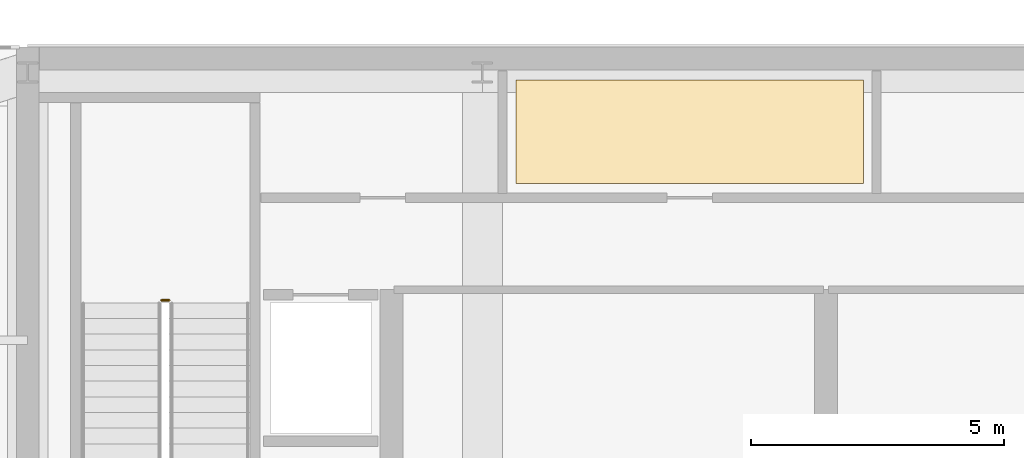
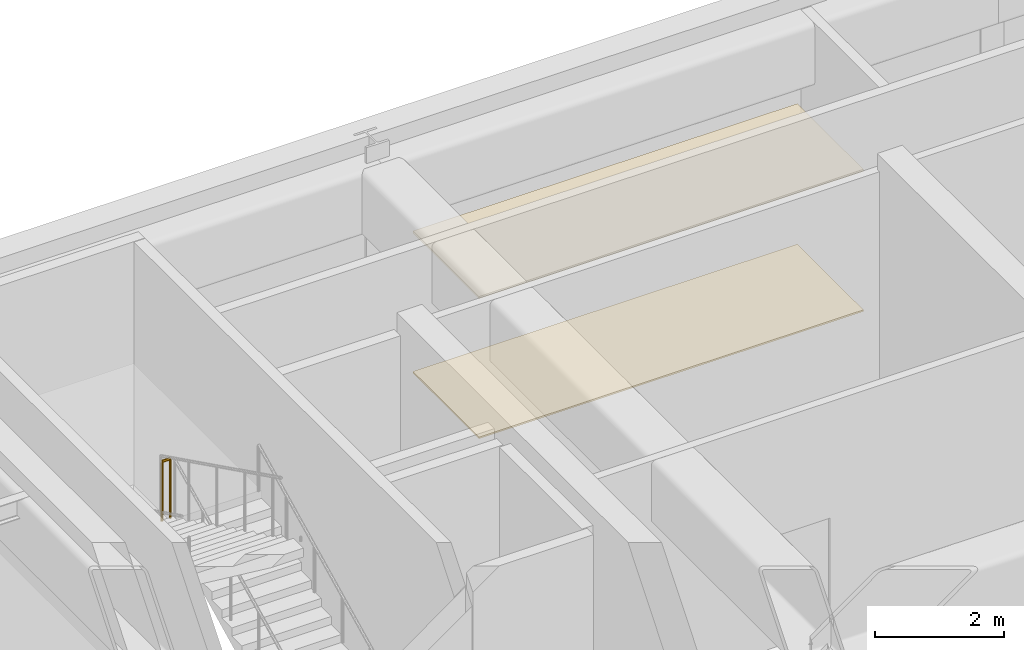
# One storey, part 18 of 20: 2 coverings, 1 railing.
"""IFC4 building model written with IfcOpenShell, lengths in metres."""

from ifc_helpers import new_model, si_unit, direction, frame, origin, origin_2d, place, context, subcontext, project, spatial, polyline, circle, outline, extrude, material, layer, layer_set, type_object, element, save


model = new_model("IFC4")

# Units and contexts
model_context = context("Model", 3, precision=1e-05, world=origin(), true_north=direction((0.0, 1.0)))
body_context = subcontext(model_context, "Body", "Model", "MODEL_VIEW")
ifc_project = project(units=[si_unit("LENGTHUNIT", "METRE"), si_unit("AREAUNIT", "SQUARE_METRE"), si_unit("VOLUMEUNIT", "CUBIC_METRE"), si_unit("PLANEANGLEUNIT", "RADIAN"), si_unit("MASSUNIT", "GRAM", prefix="KILO")], contexts=[model_context])

# Site, building, storey
site_placement = place(None, origin())
site = spatial("IfcSite", under=ifc_project, at=site_placement, CompositionType="ELEMENT")
building_placement = place(site_placement, origin())
building = spatial("IfcBuilding", under=site, at=building_placement, Name="Vaeldorn Concourse Tower", CompositionType="ELEMENT")
storey_placement = place(building_placement, frame((0.0, 0.0, 299.199951171875)))
storey = spatial("IfcBuildingStorey", under=building, at=storey_placement, Name="L77", CompositionType="ELEMENT", Elevation=299.199951171875)

# Coverings
ifc_material_1 = material(Name="Acoustic Mineral Fibre Board", Category="gypsum")
ifc_layer_1 = layer(ifc_material_1, 0.0400390625)
ifc_layer_set_1 = layer_set([ifc_layer_1], Name="Acoustic Mineral Fibre Board")
covering_type_1 = type_object("IfcCoveringType", Name="COV-CEIL-ACOUSTIC", PredefinedType="CEILING", material=ifc_layer_set_1)
covering_1_placement = place(storey_placement, frame((0.0, 0.0, 2.650146484375)))
element("IfcCovering", 1, at=covering_1_placement, inside=storey, type_object=covering_type_1, Name="Suspended Acoustic Ceiling L77-2", PredefinedType="CEILING", context=body_context, shape_type="SweptSolid", body=[
    extrude(outline(polyline([(30.5400390625, 50.35009765625), (30.5400390625, 48.300048828125), (23.659912109375, 48.300048828125), (23.659912109375, 50.35009765625), (30.5400390625, 50.35009765625)])), origin(), (0.0, 0.0, 1.0), 0.039794921875),
])
ifc_material_2 = material(Name="Honed Limestone Terrazzo Flooring", Category="masonry")
ifc_layer_2 = layer(ifc_material_2, 0.0400390625)
ifc_layer_set_2 = layer_set([ifc_layer_2], Name="Honed Limestone Terrazzo Flooring")
covering_type_2 = type_object("IfcCoveringType", Name="COV-FLOOR-STONE", PredefinedType="FLOORING", material=ifc_layer_set_2)
covering_2_placement = place(storey_placement, origin())
element("IfcCovering", 2, at=covering_2_placement, inside=storey, type_object=covering_type_2, Name="Floor Finish Covering L77-2", PredefinedType="FLOORING", context=body_context, shape_type="SweptSolid", body=[
    extrude(outline(polyline([(30.5400390625, 50.35009765625), (30.5400390625, 48.300048828125), (23.659912109375, 48.300048828125), (23.659912109375, 50.35009765625), (30.5400390625, 50.35009765625)])), origin(), (0.0, 0.0, 1.0), 0.030029296875),
])

# Railing
ifc_material_3 = material(Name="Anodised Bronze Aluminium", Category="aluminium")
railing_type = type_object("IfcRailingType", Name="RL-STAIR-GUARD", PredefinedType="GUARDRAIL", material=ifc_material_3)
railing_placement = place(storey_placement, frame((16.800048828125, 45.989990234375, 2.300048828125)))
element("IfcRailing", 3, at=railing_placement, inside=storey, type_object=railing_type, Name="L77 ST-1 stair guard 2", PredefinedType="GUARDRAIL", context=body_context, shape_type="SweptSolid", body=[
    extrude(circle(Radius=0.02392578125, at=origin_2d()), frame((0.0, 0.0, 1.1259765625), z_axis=(-1.0, 0.0, 0.0), x_axis=(0.0, -1.0, 0.0)), (0.0, 0.0, 1.0), 0.150146484375),
    extrude(circle(Radius=0.02099609375, at=origin_2d()), origin(), (0.0, 0.0, 1.0), 1.101806640625),
    extrude(circle(Radius=0.02099609375, at=origin_2d()), frame((-0.150146484375, 0.0, 0.0)), (0.0, 0.0, 1.0), 1.101806640625),
])

save(model, "model.ifc")
